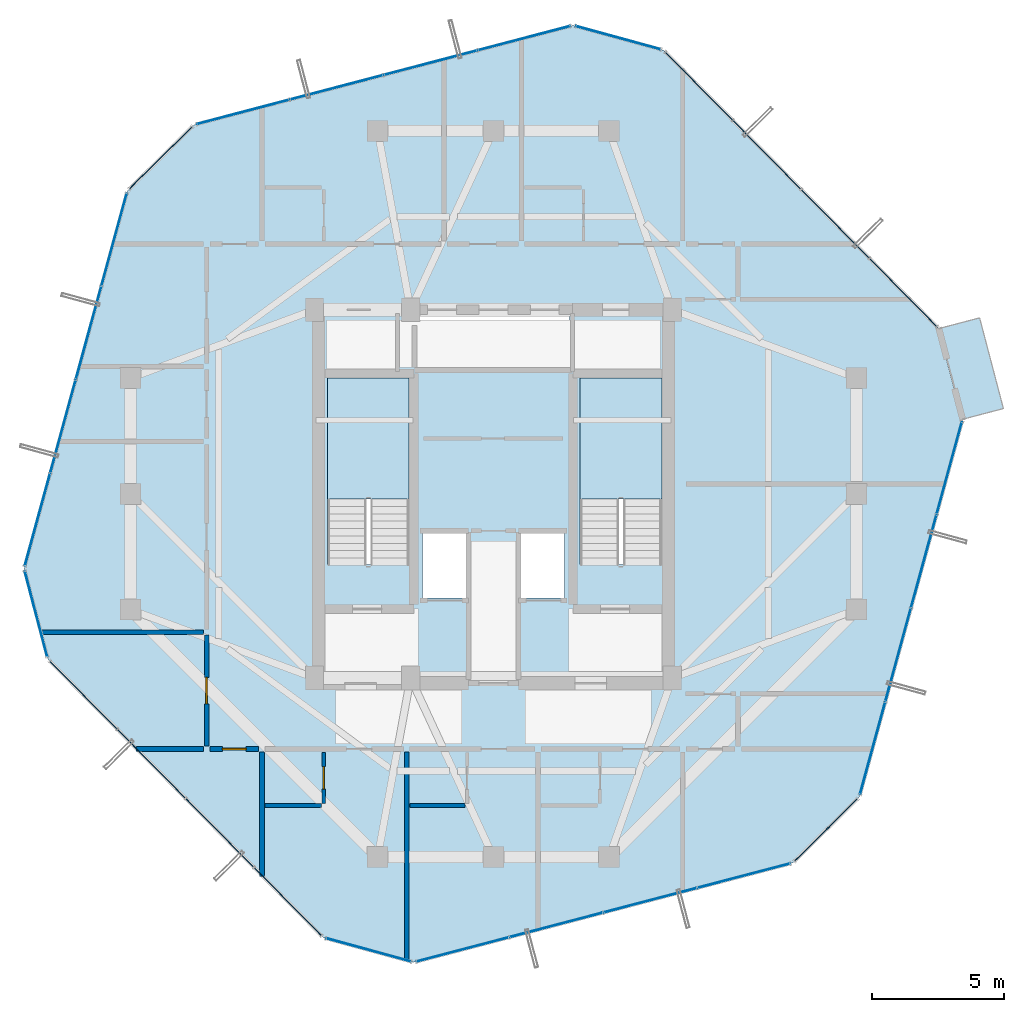
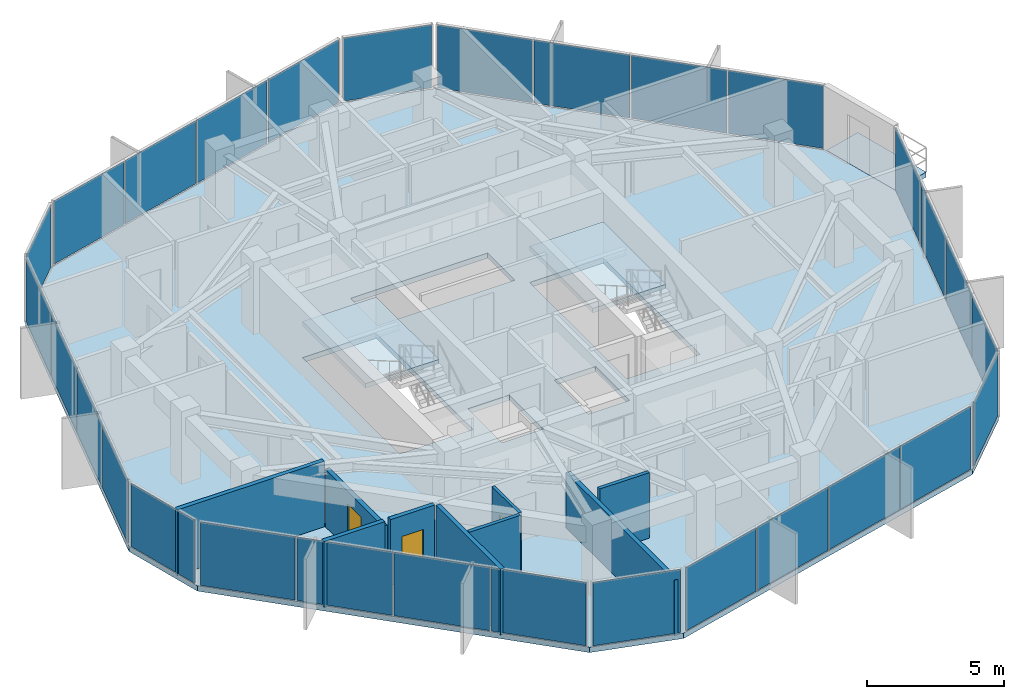
# One storey, part 24 of 29: 29 plates, 9 walls, 4 slabs, 3 doors, 3 openings, 13 elements without a shape of their own.
"""IFC4 building model written with IfcOpenShell, lengths in metres."""

from ifc_helpers import new_model, si_unit, direction, frame, frame_2d, origin, origin_2d, place, context, subcontext, project, spatial, polyline, rectangle, outline, extrude, source, transform, mapped, material, layer, layer_set, type_object, element, fill, aggregate, save


model = new_model("IFC4")

# Units and contexts
model_context = context("Model", 3, precision=1e-05, world=origin(), true_north=direction((0.0, 1.0)))
body_context = subcontext(model_context, "Body", "Model", "MODEL_VIEW")
ifc_project = project(units=[si_unit("LENGTHUNIT", "METRE"), si_unit("AREAUNIT", "SQUARE_METRE"), si_unit("VOLUMEUNIT", "CUBIC_METRE"), si_unit("PLANEANGLEUNIT", "RADIAN"), si_unit("MASSUNIT", "GRAM", prefix="KILO")], contexts=[model_context])

# Site, building, storey
site_placement = place(None, origin())
site = spatial("IfcSite", under=ifc_project, at=site_placement, CompositionType="ELEMENT")
building_placement = place(site_placement, origin())
building = spatial("IfcBuilding", under=site, at=building_placement, Name="Veraguas Prism Commons", CompositionType="ELEMENT")
storey_placement = place(building_placement, frame((0.0, 0.0, 261.0)))
storey = spatial("IfcBuildingStorey", under=building, at=storey_placement, Name="L74", CompositionType="ELEMENT", Elevation=261.0)

# Stair, slab
ifc_material_1 = material(Name="Precast concrete C45/55", Category="concrete")
stair_type = type_object("IfcStairType", Name="Dogleg Core Stair 1480W 20R 05", PredefinedType="HALF_TURN_STAIR", material=ifc_material_1)
stair_1_placement = place(storey_placement, origin())
stair_1 = element("IfcStair", 1, at=stair_1_placement, inside=storey, type_object=stair_type, Name="Protected Exit Stair ST-01 L74", PredefinedType="HALF_TURN_STAIR")
ifc_layer_1 = layer(ifc_material_1, 0.199951171875, Name="Precast Stair and Ramp Landing Slab 200", Category="concrete")
ifc_layer_set_1 = layer_set([ifc_layer_1], Name="Precast concrete C45/55")
slab_type_1 = type_object("IfcSlabType", Name="Precast Stair and Ramp Landing Slab 200", PredefinedType="LANDING", material=ifc_layer_set_1)
slab_1_placement = place(storey_placement, frame((0.0, 0.0, 1.425048828125)))
slab_1 = element("IfcSlab", 2, at=slab_1_placement, type_object=slab_type_1, Name="ST-05 Landing 1", PredefinedType="LANDING", context=body_context, shape_type="SweptSolid", body=[
    extrude(outline(polyline([(20.800048828125, 23.800048828125), (20.800048828125, 28.39990234375), (17.68994140625, 28.39990234375), (17.68994140625, 23.800048828125), (20.800048828125, 23.800048828125)])), origin(), (0.0, 0.0, 1.0), 0.199951171875),
])
aggregate(stair_1, [slab_1])

stair_2_placement = place(storey_placement, origin())
stair_2 = element("IfcStair", 3, at=stair_2_placement, inside=storey, type_object=stair_type, Name="Protected Exit Stair ST-02 L74", PredefinedType="HALF_TURN_STAIR")
slab_2_placement = place(storey_placement, frame((0.0, 0.0, 1.425048828125)))
slab_2 = element("IfcSlab", 4, at=slab_2_placement, type_object=slab_type_1, Name="ST-05 Landing 1", PredefinedType="LANDING", context=body_context, shape_type="SweptSolid", body=[
    extrude(outline(polyline([(30.39990234375, 23.800048828125), (30.39990234375, 28.39990234375), (27.2900390625, 28.39990234375), (27.2900390625, 23.800048828125), (30.39990234375, 23.800048828125)])), origin(), (0.0, 0.0, 1.0), 0.199951171875),
])
aggregate(stair_2, [slab_2])

# Slabs
ifc_material_2 = material(Name="Concrete C45/55", Category="concrete")
ifc_layer_2 = layer(ifc_material_2, 0.219970703125, Name="Recessed Loggia and Terrace Slab RC 220", Category="concrete")
ifc_layer_set_2 = layer_set([ifc_layer_2], Name="Concrete C45/55")
slab_type_2 = type_object("IfcSlabType", Name="Recessed Loggia and Terrace Slab RC 220", PredefinedType="FLOOR", material=ifc_layer_set_2)
slab_3_placement = place(storey_placement, frame((0.0, 0.0, -0.219970703125)))
element("IfcSlab", 5, at=slab_3_placement, inside=storey, type_object=slab_type_2, Name="Recessed Corner Loggia L74-C1", PredefinedType="FLOOR", context=body_context, shape_type="SweptSolid", body=[
    extrude(outline(polyline([(41.816162109375, 26.83251953125), (43.383056640625, 27.243408203125), (42.47900390625, 30.689453125), (40.912109375, 30.2783203125), (41.816162109375, 26.83251953125)])), origin(), (0.0, 0.0, 1.0), 0.219970703125),
])
ifc_layer_3 = layer(ifc_material_2, 0.235107421875, Name="Tower Upper Residential Floor Slab RC 235", Category="concrete")
ifc_layer_set_3 = layer_set([ifc_layer_3], Name="Concrete C45/55")
slab_type_3 = type_object("IfcSlabType", Name="Tower Upper Residential Floor Slab RC 235", PredefinedType="FLOOR", material=ifc_layer_set_3)
slab_4_placement = place(storey_placement, frame((0.0, 0.0, -0.235107421875)))
element("IfcSlab", 6, at=slab_4_placement, inside=storey, type_object=slab_type_3, Name="Tower Floor Slab L74", PredefinedType="FLOOR", context=body_context, shape_type="SweptSolid", body=[
    extrude(outline(polyline([(41.83544921875, 26.83740234375), (40.931396484375, 30.283447265625), (30.460205078125, 40.864501953125), (27.024169921875, 41.8046875), (12.625, 38.027099609375), (10.0927734375, 35.521240234375), (6.16455078125, 21.16259765625), (7.068603515625, 17.716552734375), (17.539794921875, 7.135498046875), (20.975830078125, 6.1953125), (35.375, 9.972900390625), (37.9072265625, 12.478759765625), (41.83544921875, 26.83740234375)]), holes=[polyline([(20.800048828125, 21.31005859375), (20.800048828125, 28.39990234375), (17.68994140625, 28.39990234375), (17.68994140625, 21.31005859375), (20.800048828125, 21.31005859375)]), polyline([(30.39990234375, 21.31005859375), (30.39990234375, 28.39990234375), (27.2900390625, 28.39990234375), (27.2900390625, 21.31005859375), (30.39990234375, 21.31005859375)]), polyline([(21.10009765625, 28.800048828125), (26.89990234375, 28.800048828125), (26.89990234375, 30.800048828125), (21.10009765625, 30.800048828125), (21.10009765625, 28.800048828125)]), polyline([(21.300048828125, 20.050048828125), (23.050048828125, 20.050048828125), (23.050048828125, 22.550048828125), (21.300048828125, 22.550048828125), (21.300048828125, 20.050048828125)]), polyline([(24.949951171875, 20.050048828125), (26.699951171875, 20.050048828125), (26.699951171875, 22.550048828125), (24.949951171875, 22.550048828125), (24.949951171875, 20.050048828125)])]), origin(), (0.0, 0.0, 1.0), 0.235107421875),
])

# Curtain wall, plates
ifc_material_3 = material(Name="Anodised aluminium EN AW-6063 T6", Category="aluminium")
ifc_layer_4 = layer(ifc_material_3, 0.14990234375, Name="Unitised Flush Curtain Wall Zone 4", Category="aluminium")
ifc_layer_set_4 = layer_set([ifc_layer_4], Name="Anodised aluminium EN AW-6063 T6")
curtain_wall_type = type_object("IfcCurtainWallType", Name="Unitised Flush Curtain Wall Zone 4", PredefinedType="NOTDEFINED", material=ifc_layer_set_4)
curtain_wall_1_placement = place(storey_placement, origin())
curtain_wall_1 = element("IfcCurtainWall", 7, at=curtain_wall_1_placement, inside=storey, type_object=curtain_wall_type, Name="Tower Facade Curtain Wall L74-F1", PredefinedType="NOTDEFINED")
ifc_material_4 = material(Name="Laminated low-e glass", Category="glass")
ifc_layer_5 = layer(ifc_material_4, 0.028076171875, Name="Unitised Double Low-E Glazed Panel 28", Category="glass")
ifc_layer_set_5 = layer_set([ifc_layer_5], Name="Laminated low-e glass")
plate_type = type_object("IfcPlateType", Name="Unitised Double Low-E Glazed Panel 28", PredefinedType="CURTAIN_PANEL", material=ifc_layer_set_5)
shared_shape_1 = source(origin(), body_context, "Body", "SweptSolid", [
    extrude(rectangle(XDim=3.6015625, YDim=0.028076171875, at=origin_2d()), origin(), (0.0, 0.0, 1.0), 2.820068359375),
])
plate_1_placement = place(storey_placement, frame((39.580322265625, 31.648681640625, 0.05517578125), z_axis=(0.0, 0.0, 1.0), x_axis=(-0.703392221648, 0.710801929179, 0.0)))
plate_1 = element("IfcPlate", 8, at=plate_1_placement, type_object=plate_type, Name="CW-Z4 Panel 1.1", PredefinedType="CURTAIN_PANEL", context=body_context, shape_type="MappedRepresentation", body=[
    mapped(shared_shape_1, transform((0.0, 0.0, 0.0), scale=1.0)),
])
plate_2_placement = place(storey_placement, frame((31.811279296875, 39.499267578125, 0.05517578125), z_axis=(0.0, 0.0, 1.0), x_axis=(-0.703392221648, 0.710801929179, 0.0)))
plate_2 = element("IfcPlate", 9, at=plate_2_placement, type_object=plate_type, Name="CW-Z4 Panel 4.1", PredefinedType="CURTAIN_PANEL", context=body_context, shape_type="MappedRepresentation", body=[
    mapped(shared_shape_1, transform((0.0, 0.0, 0.0), scale=1.0)),
])

curtain_wall_2_placement = place(storey_placement, origin())
curtain_wall_2 = element("IfcCurtainWall", 10, at=curtain_wall_2_placement, inside=storey, type_object=curtain_wall_type, Name="Tower Facade Curtain Wall L74-F2", PredefinedType="NOTDEFINED")
plate_3_placement = place(storey_placement, frame((25.166259765625, 41.3173828125, 0.05517578125), z_axis=(0.0, 0.0, 1.0), x_axis=(-0.967265981188, -0.253764697381, 0.0)))
plate_3 = element("IfcPlate", 11, at=plate_3_placement, type_object=plate_type, Name="CW-Z4 Panel 1.1", PredefinedType="CURTAIN_PANEL", context=body_context, shape_type="MappedRepresentation", body=[
    mapped(shared_shape_1, transform((0.0, 0.0, 0.0), scale=1.0)),
])
plate_4_placement = place(storey_placement, frame((14.48291015625, 38.514404296875, 0.05517578125), z_axis=(0.0, 0.0, 1.0), x_axis=(-0.967265981188, -0.253764697381, 0.0)))
plate_4 = element("IfcPlate", 12, at=plate_4_placement, type_object=plate_type, Name="CW-Z4 Panel 4.1", PredefinedType="CURTAIN_PANEL", context=body_context, shape_type="MappedRepresentation", body=[
    mapped(shared_shape_1, transform((0.0, 0.0, 0.0), scale=1.0)),
])

curtain_wall_3_placement = place(storey_placement, origin())
curtain_wall_3 = element("IfcCurtainWall", 13, at=curtain_wall_3_placement, inside=storey, type_object=curtain_wall_type, Name="Tower Facade Curtain Wall L74-F3", PredefinedType="NOTDEFINED")
plate_5_placement = place(storey_placement, frame((9.5859375, 33.66845703125, 0.05517578125), z_axis=(0.0, 0.0, 1.0), x_axis=(-0.263883150773, -0.964554655133, 0.0)))
plate_5 = element("IfcPlate", 14, at=plate_5_placement, type_object=plate_type, Name="CW-Z4 Panel 1.1", PredefinedType="CURTAIN_PANEL", context=body_context, shape_type="MappedRepresentation", body=[
    mapped(shared_shape_1, transform((0.0, 0.0, 0.0), scale=1.0)),
])
plate_6_placement = place(storey_placement, frame((6.67138671875, 23.01513671875, 0.05517578125), z_axis=(0.0, 0.0, 1.0), x_axis=(-0.263883150773, -0.964554655133, 0.0)))
plate_6 = element("IfcPlate", 15, at=plate_6_placement, type_object=plate_type, Name="CW-Z4 Panel 4.1", PredefinedType="CURTAIN_PANEL", context=body_context, shape_type="MappedRepresentation", body=[
    mapped(shared_shape_1, transform((0.0, 0.0, 0.0), scale=1.0)),
])

curtain_wall_4_placement = place(storey_placement, origin())
curtain_wall_4 = element("IfcCurtainWall", 16, at=curtain_wall_4_placement, inside=storey, type_object=curtain_wall_type, Name="Tower Facade Curtain Wall L74-F4", PredefinedType="NOTDEFINED")
plate_7_placement = place(storey_placement, frame((8.419677734375, 16.351318359375, 0.05517578125), z_axis=(0.0, 0.0, 1.0), x_axis=(0.703392221648, -0.710801929179, 0.0)))
plate_7 = element("IfcPlate", 17, at=plate_7_placement, type_object=plate_type, Name="CW-Z4 Panel 1.1", PredefinedType="CURTAIN_PANEL", context=body_context, shape_type="MappedRepresentation", body=[
    mapped(shared_shape_1, transform((0.0, 0.0, 0.0), scale=1.0)),
])
plate_8_placement = place(storey_placement, frame((16.188720703125, 8.500732421875, 0.05517578125), z_axis=(0.0, 0.0, 1.0), x_axis=(0.703392221648, -0.710801929179, 0.0)))
plate_8 = element("IfcPlate", 18, at=plate_8_placement, type_object=plate_type, Name="CW-Z4 Panel 4.1", PredefinedType="CURTAIN_PANEL", context=body_context, shape_type="MappedRepresentation", body=[
    mapped(shared_shape_1, transform((0.0, 0.0, 0.0), scale=1.0)),
])

curtain_wall_5_placement = place(storey_placement, origin())
curtain_wall_5 = element("IfcCurtainWall", 19, at=curtain_wall_5_placement, inside=storey, type_object=curtain_wall_type, Name="Tower Facade Curtain Wall L74-F5", PredefinedType="NOTDEFINED")
plate_9_placement = place(storey_placement, frame((22.833740234375, 6.6826171875, 0.05517578125), z_axis=(0.0, 0.0, 1.0), x_axis=(0.967265981188, 0.253764697381, 0.0)))
plate_9 = element("IfcPlate", 20, at=plate_9_placement, type_object=plate_type, Name="CW-Z4 Panel 1.1", PredefinedType="CURTAIN_PANEL", context=body_context, shape_type="MappedRepresentation", body=[
    mapped(shared_shape_1, transform((0.0, 0.0, 0.0), scale=1.0)),
])
plate_10_placement = place(storey_placement, frame((33.51708984375, 9.485595703125, 0.05517578125), z_axis=(0.0, 0.0, 1.0), x_axis=(0.967265981188, 0.253764697381, 0.0)))
plate_10 = element("IfcPlate", 21, at=plate_10_placement, type_object=plate_type, Name="CW-Z4 Panel 4.1", PredefinedType="CURTAIN_PANEL", context=body_context, shape_type="MappedRepresentation", body=[
    mapped(shared_shape_1, transform((0.0, 0.0, 0.0), scale=1.0)),
])

curtain_wall_6_placement = place(storey_placement, origin())
curtain_wall_6 = element("IfcCurtainWall", 22, at=curtain_wall_6_placement, inside=storey, type_object=curtain_wall_type, Name="Tower Facade Curtain Wall L74-F6", PredefinedType="NOTDEFINED")
plate_11_placement = place(storey_placement, frame((38.4140625, 14.33154296875, 0.05517578125), z_axis=(0.0, 0.0, 1.0), x_axis=(0.263883150773, 0.964554655133, 0.0)))
plate_11 = element("IfcPlate", 23, at=plate_11_placement, type_object=plate_type, Name="CW-Z4 Panel 1.1", PredefinedType="CURTAIN_PANEL", context=body_context, shape_type="MappedRepresentation", body=[
    mapped(shared_shape_1, transform((0.0, 0.0, 0.0), scale=1.0)),
])
plate_12_placement = place(storey_placement, frame((41.32861328125, 24.98486328125, 0.05517578125), z_axis=(0.0, 0.0, 1.0), x_axis=(0.263883150773, 0.964554655133, 0.0)))
plate_12 = element("IfcPlate", 24, at=plate_12_placement, type_object=plate_type, Name="CW-Z4 Panel 4.1", PredefinedType="CURTAIN_PANEL", context=body_context, shape_type="MappedRepresentation", body=[
    mapped(shared_shape_1, transform((0.0, 0.0, 0.0), scale=1.0)),
])

# Plate
shared_shape_2 = source(origin(), body_context, "Body", "SweptSolid", [
    extrude(rectangle(XDim=3.631591796875, YDim=0.028076171875, at=origin_2d()), origin(), (0.0, 0.0, 1.0), 2.820068359375),
])
plate_13_placement = place(storey_placement, frame((36.994140625, 34.261962890625, 0.05517578125), z_axis=(0.0, 0.0, 1.0), x_axis=(-0.703392221648, 0.710801929179, 0.0)))
plate_13 = element("IfcPlate", 25, at=plate_13_placement, type_object=plate_type, Name="CW-Z4 Panel 2.1", PredefinedType="CURTAIN_PANEL", context=body_context, shape_type="MappedRepresentation", body=[
    mapped(shared_shape_2, transform((0.0, 0.0, 0.0), scale=1.0)),
])

plate_14_placement = place(storey_placement, frame((34.3974609375, 36.885986328125, 0.05517578125), z_axis=(0.0, 0.0, 1.0), x_axis=(-0.703392221648, 0.710801929179, 0.0)))
plate_14 = element("IfcPlate", 26, at=plate_14_placement, type_object=plate_type, Name="CW-Z4 Panel 3.1", PredefinedType="CURTAIN_PANEL", context=body_context, shape_type="MappedRepresentation", body=[
    mapped(shared_shape_2, transform((0.0, 0.0, 0.0), scale=1.0)),
])

aggregate(curtain_wall_1, [plate_1, plate_13, plate_14, plate_2])

plate_15_placement = place(storey_placement, frame((21.60986328125, 40.38427734375, 0.05517578125), z_axis=(0.0, 0.0, 1.0), x_axis=(-0.967265981188, -0.253764697381, 0.0)))
plate_15 = element("IfcPlate", 27, at=plate_15_placement, type_object=plate_type, Name="CW-Z4 Panel 2.1", PredefinedType="CURTAIN_PANEL", context=body_context, shape_type="MappedRepresentation", body=[
    mapped(shared_shape_2, transform((0.0, 0.0, 0.0), scale=1.0)),
])

plate_16_placement = place(storey_placement, frame((18.0390625, 39.447509765625, 0.05517578125), z_axis=(0.0, 0.0, 1.0), x_axis=(-0.967265981188, -0.253764697381, 0.0)))
plate_16 = element("IfcPlate", 28, at=plate_16_placement, type_object=plate_type, Name="CW-Z4 Panel 3.1", PredefinedType="CURTAIN_PANEL", context=body_context, shape_type="MappedRepresentation", body=[
    mapped(shared_shape_2, transform((0.0, 0.0, 0.0), scale=1.0)),
])

aggregate(curtain_wall_2, [plate_3, plate_15, plate_16, plate_4])

plate_17_placement = place(storey_placement, frame((8.61572265625, 30.122314453125, 0.05517578125), z_axis=(0.0, 0.0, 1.0), x_axis=(-0.263883150773, -0.964554655133, 0.0)))
plate_17 = element("IfcPlate", 29, at=plate_17_placement, type_object=plate_type, Name="CW-Z4 Panel 2.1", PredefinedType="CURTAIN_PANEL", context=body_context, shape_type="MappedRepresentation", body=[
    mapped(shared_shape_2, transform((0.0, 0.0, 0.0), scale=1.0)),
])

plate_18_placement = place(storey_placement, frame((7.6416015625, 26.5615234375, 0.05517578125), z_axis=(0.0, 0.0, 1.0), x_axis=(-0.263883150773, -0.964554655133, 0.0)))
plate_18 = element("IfcPlate", 30, at=plate_18_placement, type_object=plate_type, Name="CW-Z4 Panel 3.1", PredefinedType="CURTAIN_PANEL", context=body_context, shape_type="MappedRepresentation", body=[
    mapped(shared_shape_2, transform((0.0, 0.0, 0.0), scale=1.0)),
])

aggregate(curtain_wall_3, [plate_5, plate_17, plate_18, plate_6])

plate_19_placement = place(storey_placement, frame((11.005859375, 13.738037109375, 0.05517578125), z_axis=(0.0, 0.0, 1.0), x_axis=(0.703392221648, -0.710801929179, 0.0)))
plate_19 = element("IfcPlate", 31, at=plate_19_placement, type_object=plate_type, Name="CW-Z4 Panel 2.1", PredefinedType="CURTAIN_PANEL", context=body_context, shape_type="MappedRepresentation", body=[
    mapped(shared_shape_2, transform((0.0, 0.0, 0.0), scale=1.0)),
])

plate_20_placement = place(storey_placement, frame((13.6025390625, 11.114013671875, 0.05517578125), z_axis=(0.0, 0.0, 1.0), x_axis=(0.703392221648, -0.710801929179, 0.0)))
plate_20 = element("IfcPlate", 32, at=plate_20_placement, type_object=plate_type, Name="CW-Z4 Panel 3.1", PredefinedType="CURTAIN_PANEL", context=body_context, shape_type="MappedRepresentation", body=[
    mapped(shared_shape_2, transform((0.0, 0.0, 0.0), scale=1.0)),
])

aggregate(curtain_wall_4, [plate_7, plate_19, plate_20, plate_8])

plate_21_placement = place(storey_placement, frame((26.39013671875, 7.61572265625, 0.05517578125), z_axis=(0.0, 0.0, 1.0), x_axis=(0.967265981188, 0.253764697381, 0.0)))
plate_21 = element("IfcPlate", 33, at=plate_21_placement, type_object=plate_type, Name="CW-Z4 Panel 2.1", PredefinedType="CURTAIN_PANEL", context=body_context, shape_type="MappedRepresentation", body=[
    mapped(shared_shape_2, transform((0.0, 0.0, 0.0), scale=1.0)),
])

plate_22_placement = place(storey_placement, frame((29.9609375, 8.552490234375, 0.05517578125), z_axis=(0.0, 0.0, 1.0), x_axis=(0.967265981188, 0.253764697381, 0.0)))
plate_22 = element("IfcPlate", 34, at=plate_22_placement, type_object=plate_type, Name="CW-Z4 Panel 3.1", PredefinedType="CURTAIN_PANEL", context=body_context, shape_type="MappedRepresentation", body=[
    mapped(shared_shape_2, transform((0.0, 0.0, 0.0), scale=1.0)),
])

aggregate(curtain_wall_5, [plate_9, plate_21, plate_22, plate_10])

plate_23_placement = place(storey_placement, frame((39.38427734375, 17.877685546875, 0.05517578125), z_axis=(0.0, 0.0, 1.0), x_axis=(0.263883150773, 0.964554655133, 0.0)))
plate_23 = element("IfcPlate", 35, at=plate_23_placement, type_object=plate_type, Name="CW-Z4 Panel 2.1", PredefinedType="CURTAIN_PANEL", context=body_context, shape_type="MappedRepresentation", body=[
    mapped(shared_shape_2, transform((0.0, 0.0, 0.0), scale=1.0)),
])

plate_24_placement = place(storey_placement, frame((40.3583984375, 21.4384765625, 0.05517578125), z_axis=(0.0, 0.0, 1.0), x_axis=(0.263883150773, 0.964554655133, 0.0)))
plate_24 = element("IfcPlate", 36, at=plate_24_placement, type_object=plate_type, Name="CW-Z4 Panel 3.1", PredefinedType="CURTAIN_PANEL", context=body_context, shape_type="MappedRepresentation", body=[
    mapped(shared_shape_2, transform((0.0, 0.0, 0.0), scale=1.0)),
])

aggregate(curtain_wall_6, [plate_11, plate_23, plate_24, plate_12])

# Curtain wall, plate
curtain_wall_7_placement = place(storey_placement, origin())
curtain_wall_7 = element("IfcCurtainWall", 37, at=curtain_wall_7_placement, inside=storey, type_object=curtain_wall_type, Name="Chamfer Curtain Wall L74-C2", PredefinedType="NOTDEFINED")
shared_shape_3 = source(origin(), body_context, "Body", "SweptSolid", [
    extrude(rectangle(XDim=3.322509765625, YDim=0.028076171875, at=origin_2d()), origin(), (0.0, 0.0, 1.0), 2.820068359375),
])
plate_25_placement = place(storey_placement, frame((28.7421875, 41.334716796875, 0.05517578125), z_axis=(0.0, 0.0, 1.0), x_axis=(-0.964546825138, 0.263911769569, 0.0)))
plate_25 = element("IfcPlate", 38, at=plate_25_placement, type_object=plate_type, Name="CW-Z4 Panel 1.1", PredefinedType="CURTAIN_PANEL", context=body_context, shape_type="MappedRepresentation", body=[
    mapped(shared_shape_3, transform((0.0, 0.0, 0.0), scale=1.0)),
])
aggregate(curtain_wall_7, [plate_25])

curtain_wall_8_placement = place(storey_placement, origin())
curtain_wall_8 = element("IfcCurtainWall", 39, at=curtain_wall_8_placement, inside=storey, type_object=curtain_wall_type, Name="Chamfer Curtain Wall L74-C3", PredefinedType="NOTDEFINED")
plate_26_placement = place(storey_placement, frame((11.35888671875, 36.774169921875, 0.05517578125), z_axis=(0.0, 0.0, 1.0), x_axis=(-0.71081543321, -0.703378575101, 0.0)))
plate_26 = element("IfcPlate", 40, at=plate_26_placement, type_object=plate_type, Name="CW-Z4 Panel 1.1", PredefinedType="CURTAIN_PANEL", context=body_context, shape_type="MappedRepresentation", body=[
    mapped(shared_shape_3, transform((0.0, 0.0, 0.0), scale=1.0)),
])
aggregate(curtain_wall_8, [plate_26])

curtain_wall_9_placement = place(storey_placement, origin())
curtain_wall_9 = element("IfcCurtainWall", 41, at=curtain_wall_9_placement, inside=storey, type_object=curtain_wall_type, Name="Chamfer Curtain Wall L74-C4", PredefinedType="NOTDEFINED")
plate_27_placement = place(storey_placement, frame((6.61669921875, 19.439453125, 0.05517578125), z_axis=(0.0, 0.0, 1.0), x_axis=(0.253790020259, -0.967259337312, 0.0)))
plate_27 = element("IfcPlate", 42, at=plate_27_placement, type_object=plate_type, Name="CW-Z4 Panel 1.1", PredefinedType="CURTAIN_PANEL", context=body_context, shape_type="MappedRepresentation", body=[
    mapped(shared_shape_3, transform((0.0, 0.0, 0.0), scale=1.0)),
])
aggregate(curtain_wall_9, [plate_27])

curtain_wall_10_placement = place(storey_placement, origin())
curtain_wall_10 = element("IfcCurtainWall", 43, at=curtain_wall_10_placement, inside=storey, type_object=curtain_wall_type, Name="Chamfer Curtain Wall L74-C5", PredefinedType="NOTDEFINED")
plate_28_placement = place(storey_placement, frame((19.2578125, 6.665283203125, 0.05517578125), z_axis=(0.0, 0.0, 1.0), x_axis=(0.964546825138, -0.263911769569, 0.0)))
plate_28 = element("IfcPlate", 44, at=plate_28_placement, type_object=plate_type, Name="CW-Z4 Panel 1.1", PredefinedType="CURTAIN_PANEL", context=body_context, shape_type="MappedRepresentation", body=[
    mapped(shared_shape_3, transform((0.0, 0.0, 0.0), scale=1.0)),
])
aggregate(curtain_wall_10, [plate_28])

curtain_wall_11_placement = place(storey_placement, origin())
curtain_wall_11 = element("IfcCurtainWall", 45, at=curtain_wall_11_placement, inside=storey, type_object=curtain_wall_type, Name="Chamfer Curtain Wall L74-C6", PredefinedType="NOTDEFINED")
plate_29_placement = place(storey_placement, frame((36.64111328125, 11.225830078125, 0.05517578125), z_axis=(0.0, 0.0, 1.0), x_axis=(0.71081543321, 0.703378575101, 0.0)))
plate_29 = element("IfcPlate", 46, at=plate_29_placement, type_object=plate_type, Name="CW-Z4 Panel 1.1", PredefinedType="CURTAIN_PANEL", context=body_context, shape_type="MappedRepresentation", body=[
    mapped(shared_shape_3, transform((0.0, 0.0, 0.0), scale=1.0)),
])
aggregate(curtain_wall_11, [plate_29])

# Walls
ifc_material_5 = material(Name="Autoclaved aerated masonry block 10 MPa", Category="masonry")
ifc_layer_6 = layer(ifc_material_5, 0.179931640625, Name="Corridor and Inter-Tenancy Partition 180", Category="masonry")
ifc_layer_set_6 = layer_set([ifc_layer_6], Name="Autoclaved aerated masonry block 10 MPa")
wall_type_1 = type_object("IfcWallType", Name="Corridor and Inter-Tenancy Partition 180", PredefinedType="PARTITIONING", material=ifc_layer_set_6)
wall_1_placement = place(storey_placement, frame((15.199951171875, 14.179931640625, 0.0), z_axis=(0.0, 0.0, 1.0), x_axis=(0.0, -1.0, 0.0)))
element("IfcWall", 47, at=wall_1_placement, inside=storey, type_object=wall_type_1, Name="WL-L74-PT001", PredefinedType="PARTITIONING", context=body_context, shape_type="SweptSolid", body=[
    extrude(rectangle(XDim=4.722900390625, YDim=0.179931640625, at=frame_2d((2.361328125, 0.0))), origin(), (0.0, 0.0, 1.0), 2.929931640625),
])
wall_2_placement = place(storey_placement, frame((20.705078125, 14.179931640625, 0.0), z_axis=(0.0, 0.0, 1.0), x_axis=(0.0, -1.0, 0.0)))
element("IfcWall", 48, at=wall_2_placement, inside=storey, type_object=wall_type_1, Name="WL-L74-PT006", PredefinedType="PARTITIONING", context=body_context, shape_type="SweptSolid", body=[
    extrude(rectangle(XDim=7.941650390625, YDim=0.179931640625, at=frame_2d((3.970703125, 0.0))), origin(), (0.0, 0.0, 1.0), 2.4580078125),
])
wall_3_placement = place(storey_placement, frame((12.97998046875, 14.300048828125, 0.0), z_axis=(0.0, 0.0, 1.0), x_axis=(-1.0, 0.0, 0.0)))
element("IfcWall", 49, at=wall_3_placement, inside=storey, type_object=wall_type_1, Name="WL-L74-PT025", PredefinedType="PARTITIONING", context=body_context, shape_type="SweptSolid", body=[
    extrude(rectangle(XDim=2.572509765625, YDim=0.179931640625, at=frame_2d((1.2861328125, 0.0))), origin(), (0.0, 0.0, 1.0), 2.929931640625),
])

# Wall, opening, door
wall_4_placement = place(storey_placement, frame((13.10009765625, 14.409912109375, 0.0), z_axis=(0.0, 0.0, 1.0), x_axis=(0.0, 1.0, 0.0)))
wall_4 = element("IfcWall", 50, at=wall_4_placement, inside=storey, type_object=wall_type_1, Name="WL-L74-PT027", PredefinedType="PARTITIONING", context=body_context, shape_type="SweptSolid", body=[
    extrude(rectangle(XDim=4.22412109375, YDim=0.179931640625, at=frame_2d((2.112060546875, 0.0))), origin(), (0.0, 0.0, 1.0), 2.576904296875),
])
opening_1_placement = place(wall_4_placement, frame((1.612060546875, 0.0, 0.0)))
opening_1 = element("IfcOpeningElement", 51, at=opening_1_placement, cuts=wall_4, Name="Opening DR-13", PredefinedType="OPENING", context=body_context, shape_type="SweptSolid", body=[
    extrude(rectangle(XDim=1.0, YDim=2.010009765625, at=frame_2d((0.5, 1.0048828125))), frame((0.0, 0.099853515625, 0.0), z_axis=(0.0, -1.0, 0.0), x_axis=(1.0, 0.0, 0.0)), (0.0, 0.0, 1.0), 0.199951171875),
])
ifc_material_6 = material(Name="Steel fire-rated door assembly", Category="steel")
door_type_1 = type_object("IfcDoorType", Name="Core Accessible WC and Clinic Fire Door 1000x2010", OperationType="NOTDEFINED", PredefinedType="DOOR", material=ifc_material_6)
shared_shape_4 = source(origin(), body_context, "Body", "SweptSolid", [
    extrude(rectangle(XDim=1.0, YDim=2.010009765625, at=frame_2d((0.5, 1.0048828125))), frame((0.0, 0.02490234375, 0.0), z_axis=(0.0, -1.0, 0.0), x_axis=(1.0, 0.0, 0.0)), (0.0, 0.0, 1.0), 0.050048828125),
])
door_1_placement = place(opening_1_placement, origin())
door_1 = element("IfcDoor", 52, at=door_1_placement, inside=storey, type_object=door_type_1, Name="Community Co-op Kitchen Door", OperationType="SINGLE_SWING_LEFT", OverallHeight=2.010009765625, OverallWidth=1.0, PredefinedType="DOOR", context=body_context, shape_type="MappedRepresentation", body=[
    mapped(shared_shape_4, transform((0.0, 0.0, 0.0), scale=1.0)),
])
fill(opening_1, door_1)

# Wall
wall_5_placement = place(storey_placement, frame((12.97998046875, 18.743896484375, 0.0), z_axis=(0.0, 0.0, 1.0), x_axis=(-1.0, 0.0, 0.0)))
element("IfcWall", 53, at=wall_5_placement, inside=storey, type_object=wall_type_1, Name="WL-L74-PT029", PredefinedType="PARTITIONING", context=body_context, shape_type="SweptSolid", body=[
    extrude(rectangle(XDim=6.2119140625, YDim=0.179931640625, at=frame_2d((3.10595703125, 0.0))), origin(), (0.0, 0.0, 1.0), 2.929931640625),
])

# Wall, opening, door
wall_6_placement = place(storey_placement, frame((13.219970703125, 14.300048828125, 0.0), z_axis=(0.0, 0.0, 1.0), x_axis=(1.0, 0.0, 0.0)))
wall_6 = element("IfcWall", 54, at=wall_6_placement, inside=storey, type_object=wall_type_1, Name="WL-L74-PT041", PredefinedType="PARTITIONING", context=body_context, shape_type="SweptSolid", body=[
    extrude(rectangle(XDim=1.860107421875, YDim=0.179931640625, at=frame_2d((0.93017578125, 0.0))), origin(), (0.0, 0.0, 1.0), 2.929931640625),
])
opening_2_placement = place(wall_6_placement, frame((0.47998046875, 0.0, 0.0)))
opening_2 = element("IfcOpeningElement", 55, at=opening_2_placement, cuts=wall_6, Name="Opening DR-14", PredefinedType="OPENING", context=body_context, shape_type="SweptSolid", body=[
    extrude(rectangle(XDim=0.89990234375, YDim=2.010009765625, at=frame_2d((0.449951171875, 1.0048828125))), frame((0.0, 0.099853515625, 0.0), z_axis=(0.0, -1.0, 0.0), x_axis=(1.0, 0.0, 0.0)), (0.0, 0.0, 1.0), 0.199951171875),
])
door_type_2 = type_object("IfcDoorType", Name="Core Service Room Fire Door 900x2010", OperationType="NOTDEFINED", PredefinedType="DOOR", material=ifc_material_6)
shared_shape_5 = source(origin(), body_context, "Body", "SweptSolid", [
    extrude(rectangle(XDim=0.89990234375, YDim=2.010009765625, at=frame_2d((0.449951171875, 1.0048828125))), frame((0.0, 0.02490234375, 0.0), z_axis=(0.0, -1.0, 0.0), x_axis=(1.0, 0.0, 0.0)), (0.0, 0.0, 1.0), 0.050048828125),
])
door_2_placement = place(opening_2_placement, origin())
door_2 = element("IfcDoor", 56, at=door_2_placement, inside=storey, type_object=door_type_2, Name="Residents Study Room SW Door", OperationType="SINGLE_SWING_LEFT", OverallHeight=2.010009765625, OverallWidth=0.89990234375, PredefinedType="DOOR", context=body_context, shape_type="MappedRepresentation", body=[
    mapped(shared_shape_5, transform((0.0, 0.0, 0.0), scale=1.0)),
])
fill(opening_2, door_2)

ifc_material_7 = material(Name="Lightweight acoustic gypsum board")
ifc_layer_7 = layer(ifc_material_7, 0.125, Name="Internal Apartment Room Partition 125")
ifc_layer_set_7 = layer_set([ifc_layer_7], Name="Lightweight acoustic gypsum board")
wall_type_2 = type_object("IfcWallType", Name="Internal Apartment Room Partition 125", PredefinedType="PARTITIONING", material=ifc_layer_set_7)
wall_7_placement = place(storey_placement, frame((17.550048828125, 14.179931640625, 0.0), z_axis=(0.0, 0.0, 1.0), x_axis=(0.0, -1.0, 0.0)))
wall_7 = element("IfcWall", 57, at=wall_7_placement, inside=storey, type_object=wall_type_2, Name="WL-L74-PT004", PredefinedType="PARTITIONING", context=body_context, shape_type="SweptSolid", body=[
    extrude(rectangle(XDim=1.949951171875, YDim=0.125, at=frame_2d((0.97509765625, 0.0))), origin(), (0.0, 0.0, 1.0), 2.929931640625),
])
opening_3_placement = place(wall_7_placement, frame((0.544921875, 0.0, 0.0)))
opening_3 = element("IfcOpeningElement", 58, at=opening_3_placement, cuts=wall_7, Name="Opening DR-03", PredefinedType="OPENING", context=body_context, shape_type="SweptSolid", body=[
    extrude(rectangle(XDim=0.860107421875, YDim=2.010009765625, at=frame_2d((0.43017578125, 1.0048828125))), frame((0.0, 0.072509765625, 0.0), z_axis=(0.0, -1.0, 0.0), x_axis=(1.0, 0.0, 0.0)), (0.0, 0.0, 1.0), 0.14501953125),
])
ifc_material_8 = material(Name="Timber moisture-resistant leaf", Category="wood")
door_type_3 = type_object("IfcDoorType", Name="Internal Bathroom Door 860x2010", OperationType="NOTDEFINED", PredefinedType="DOOR", material=ifc_material_8)
shared_shape_6 = source(origin(), body_context, "Body", "SweptSolid", [
    extrude(rectangle(XDim=0.860107421875, YDim=2.010009765625, at=frame_2d((0.43017578125, 1.0048828125))), frame((0.0, 0.02490234375, 0.0), z_axis=(0.0, -1.0, 0.0), x_axis=(1.0, 0.0, 0.0)), (0.0, 0.0, 1.0), 0.050048828125),
])
door_3_placement = place(opening_3_placement, origin())
door_3 = element("IfcDoor", 59, at=door_3_placement, inside=storey, type_object=door_type_3, Name="Studio 74A Bathroom Door", OperationType="SINGLE_SWING_LEFT", OverallHeight=2.010009765625, OverallWidth=0.860107421875, PredefinedType="DOOR", context=body_context, shape_type="MappedRepresentation", body=[
    mapped(shared_shape_6, transform((0.0, 0.0, 0.0), scale=1.0)),
])
fill(opening_3, door_3)

# Walls
ifc_layer_8 = layer(ifc_material_7, 0.14990234375, Name="Wet Room and Clinic Acoustic Partition 150")
ifc_layer_set_8 = layer_set([ifc_layer_8], Name="Lightweight acoustic gypsum board")
wall_type_3 = type_object("IfcWallType", Name="Wet Room and Clinic Acoustic Partition 150", PredefinedType="PARTITIONING", material=ifc_layer_set_8)
wall_8_placement = place(storey_placement, frame((15.320068359375, 12.14990234375, 0.0), z_axis=(0.0, 0.0, 1.0), x_axis=(1.0, 0.0, 0.0)))
element("IfcWall", 60, at=wall_8_placement, inside=storey, type_object=wall_type_3, Name="WL-L74-PT005", PredefinedType="PARTITIONING", context=body_context, shape_type="SweptSolid", body=[
    extrude(rectangle(XDim=2.14990234375, YDim=0.14990234375, at=frame_2d((1.074951171875, 0.0))), origin(), (0.0, 0.0, 1.0), 2.929931640625),
])
wall_9_placement = place(storey_placement, frame((20.824951171875, 12.14990234375, 0.0), z_axis=(0.0, 0.0, 1.0), x_axis=(1.0, 0.0, 0.0)))
element("IfcWall", 61, at=wall_9_placement, inside=storey, type_object=wall_type_3, Name="WL-L74-PT009", PredefinedType="PARTITIONING", context=body_context, shape_type="SweptSolid", body=[
    extrude(rectangle(XDim=2.094970703125, YDim=0.14990234375, at=frame_2d((1.04736328125, 0.0))), origin(), (0.0, 0.0, 1.0), 2.929931640625),
])

save(model, "model.ifc")
